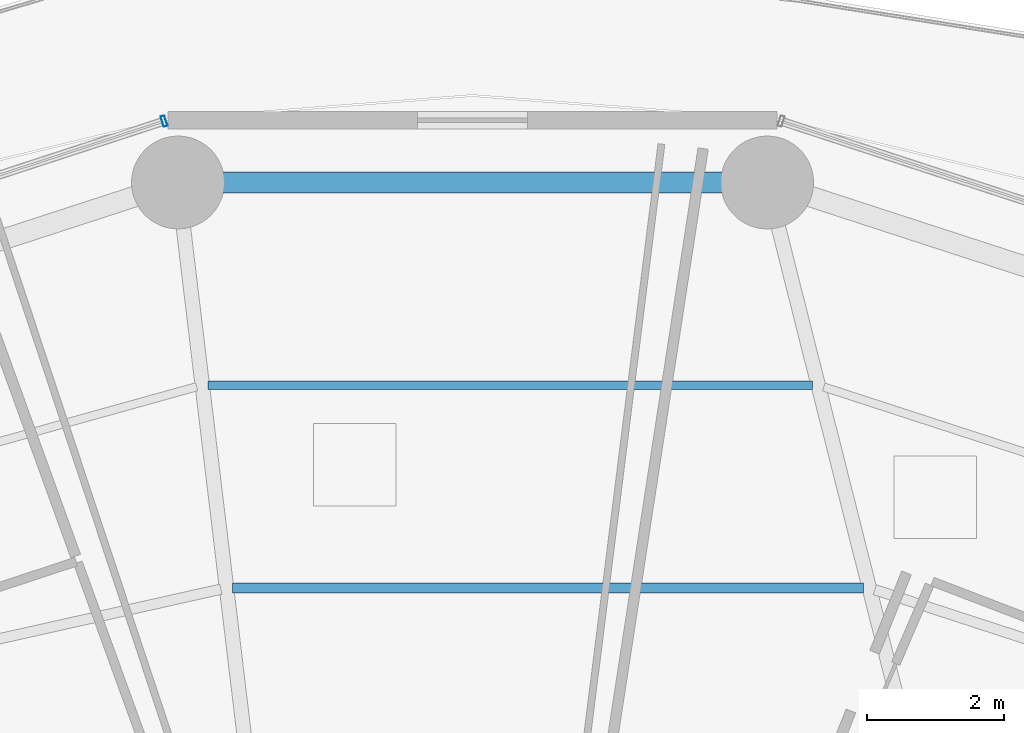
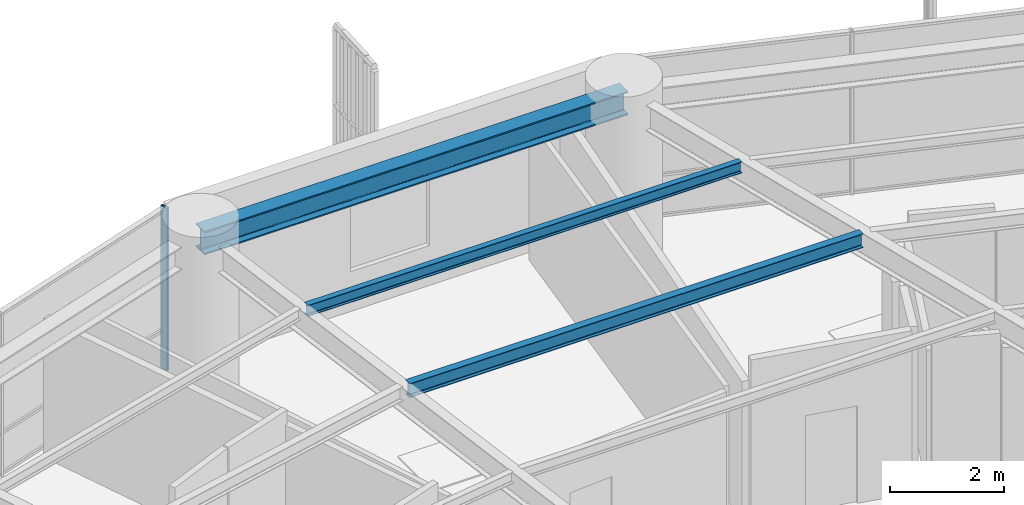
# One storey, part 20 of 34: 3 beams, 1 member, 1 element without a shape of its own.
"""IFC4 building model written with IfcOpenShell, lengths in metres."""

from ifc_helpers import new_model, si_unit, direction, frame, origin, origin_2d, place, context, subcontext, project, spatial, hollow_rectangle, i_section, extrude, material, layer, layer_set, material_profile, profile_set, type_object, element, aggregate, save


model = new_model("IFC4")

# Units and contexts
model_context = context("Model", 3, precision=1e-05, world=origin(), true_north=direction((0.0, 1.0)))
body_context = subcontext(model_context, "Body", "Model", "MODEL_VIEW")
ifc_project = project(units=[si_unit("LENGTHUNIT", "METRE"), si_unit("AREAUNIT", "SQUARE_METRE"), si_unit("VOLUMEUNIT", "CUBIC_METRE"), si_unit("PLANEANGLEUNIT", "RADIAN"), si_unit("MASSUNIT", "GRAM", prefix="KILO")], contexts=[model_context])

# Site, building, storey
site_placement = place(None, origin())
site = spatial("IfcSite", under=ifc_project, at=site_placement, CompositionType="ELEMENT")
building_placement = place(site_placement, origin())
building = spatial("IfcBuilding", under=site, at=building_placement, Name="Kelanora Arch Commons", CompositionType="ELEMENT")
storey_placement = place(building_placement, frame((0.0, 0.0, 76.35009765625)))
storey = spatial("IfcBuildingStorey", under=building, at=storey_placement, Name="L19", CompositionType="ELEMENT", Elevation=76.35009765625)

# Beams
ifc_material_1 = material(Name="Steel S355", Category="steel")
ifc_material_profile_1 = material_profile(ifc_material_1, i_section(OverallWidth=0.14990234375, OverallDepth=0.300048828125, WebThickness=0.007080078125, FlangeThickness=0.0107421875, FilletRadius=0.014892578125, at=origin_2d()), Name="IPE300")
ifc_profile_set_1 = profile_set([ifc_material_profile_1], Name="Steel S355")
beam_type_1 = type_object("IfcBeamType", Name="BM-JST-01", PredefinedType="JOIST", material=ifc_profile_set_1)
beam_1_placement = place(storey_placement, frame((79.686279296875, 73.8466796875, 3.33984375), z_axis=(-1.0, 0.0, 0.0), x_axis=(0.0, -1.0, 0.0)))
element("IfcBeam", 1, at=beam_1_placement, inside=storey, type_object=beam_type_1, Name="Secondary Chord Joist BJB-08 L19", PredefinedType="JOIST", context=body_context, shape_type="SweptSolid", body=[
    extrude(i_section(OverallWidth=0.14990234375, OverallDepth=0.300048828125, WebThickness=0.007080078125, FlangeThickness=0.0107421875, FilletRadius=0.014892578125, at=origin_2d()), origin(), (0.0, 0.0, 1.0), 9.1806640625),
])
ifc_material_profile_2 = material_profile(ifc_material_1, i_section(OverallWidth=0.1201171875, OverallDepth=0.239990234375, WebThickness=0.006103515625, FlangeThickness=0.009765625, FilletRadius=0.014892578125, at=origin_2d()), Name="IPE240")
ifc_profile_set_2 = profile_set([ifc_material_profile_2], Name="Steel S355")
beam_type_2 = type_object("IfcBeamType", Name="BM-JST-02", PredefinedType="JOIST", material=ifc_profile_set_2)
beam_2_placement = place(storey_placement, frame((78.943603515625, 76.795654296875, 3.369873046875), z_axis=(-1.0, 0.0, 0.0), x_axis=(0.0, -1.0, 0.0)))
element("IfcBeam", 2, at=beam_2_placement, inside=storey, type_object=beam_type_2, Name="Secondary Chord Joist BJC-08 L19", PredefinedType="JOIST", context=body_context, shape_type="SweptSolid", body=[
    extrude(i_section(OverallWidth=0.1201171875, OverallDepth=0.239990234375, WebThickness=0.006103515625, FlangeThickness=0.009765625, FilletRadius=0.014892578125, at=origin_2d()), origin(), (0.0, 0.0, 1.0), 8.791015625),
])
ifc_material_profile_3 = material_profile(ifc_material_1, i_section(OverallWidth=0.300048828125, OverallDepth=0.5, WebThickness=0.014404296875, FlangeThickness=0.028076171875, FilletRadius=0.027099609375, at=origin_2d()), Name="HEB500")
ifc_profile_set_3 = profile_set([ifc_material_profile_3], Name="Steel S355")
beam_type_3 = type_object("IfcBeamType", Name="BM-SPN-Z2", PredefinedType="SPANDREL", material=ifc_profile_set_3)
beam_3_placement = place(storey_placement, frame((78.28564453125, 79.74462890625, 3.239990234375), z_axis=(-1.0, 0.0, 0.0), x_axis=(0.0, -1.0, 0.0)))
element("IfcBeam", 3, at=beam_3_placement, inside=storey, type_object=beam_type_3, Name="Perimeter Spandrel Beam BS-08 L19", PredefinedType="SPANDREL", context=body_context, shape_type="SweptSolid", body=[
    extrude(i_section(OverallWidth=0.300048828125, OverallDepth=0.5, WebThickness=0.014404296875, FlangeThickness=0.028076171875, FilletRadius=0.027099609375, at=origin_2d()), origin(), (0.0, 0.0, 1.0), 8.5712890625),
])

# Curtain wall, member
ifc_material_2 = material(Name="Terracotta ceramic-fritted low-E glass and aluminium", Category="masonry")
ifc_layer = layer(ifc_material_2, 0.159912109375)
ifc_layer_set = layer_set([ifc_layer], Name="Terracotta ceramic-fritted low-E glass and aluminium")
curtain_wall_type = type_object("IfcCurtainWallType", Name="CW-SYS-01", PredefinedType="NOTDEFINED", material=ifc_layer_set)
curtain_wall_placement = place(storey_placement, origin())
curtain_wall = element("IfcCurtainWall", 4, at=curtain_wall_placement, inside=storey, type_object=curtain_wall_type, Name="Unitised Curtain Wall L19-B05", PredefinedType="NOTDEFINED")
ifc_material_3 = material(Name="Powder-coated aluminium terracotta", Category="masonry")
ifc_material_profile_4 = material_profile(ifc_material_3, hollow_rectangle(XDim=0.159912109375, YDim=0.06005859375, WallThickness=0.0048828125, InnerFilletRadius=0.0048828125, OuterFilletRadius=0.010009765625, at=origin_2d()), Name="CWM160x60")
ifc_profile_set_4 = profile_set([ifc_material_profile_4], Name="Powder-coated aluminium terracotta")
member_type = type_object("IfcMemberType", Name="CWM-STD", PredefinedType="MULLION", material=ifc_profile_set_4)
member_placement = place(storey_placement, frame((69.51171875, 80.636474609375, 0.0), z_axis=(0.0, 0.0, 1.0), x_axis=(0.31080470294, -0.950473795867, 0.0)))
member = element("IfcMember", 5, at=member_placement, type_object=member_type, Name="CW-01 mullion 1", PredefinedType="MULLION", context=body_context, shape_type="SweptSolid", body=[
    extrude(hollow_rectangle(XDim=0.159912109375, YDim=0.06005859375, WallThickness=0.0048828125, InnerFilletRadius=0.0048828125, OuterFilletRadius=0.010009765625, at=origin_2d()), origin(), (0.0, 0.0, 1.0), 3.474853515625),
])
aggregate(curtain_wall, [member])

save(model, "model.ifc")
